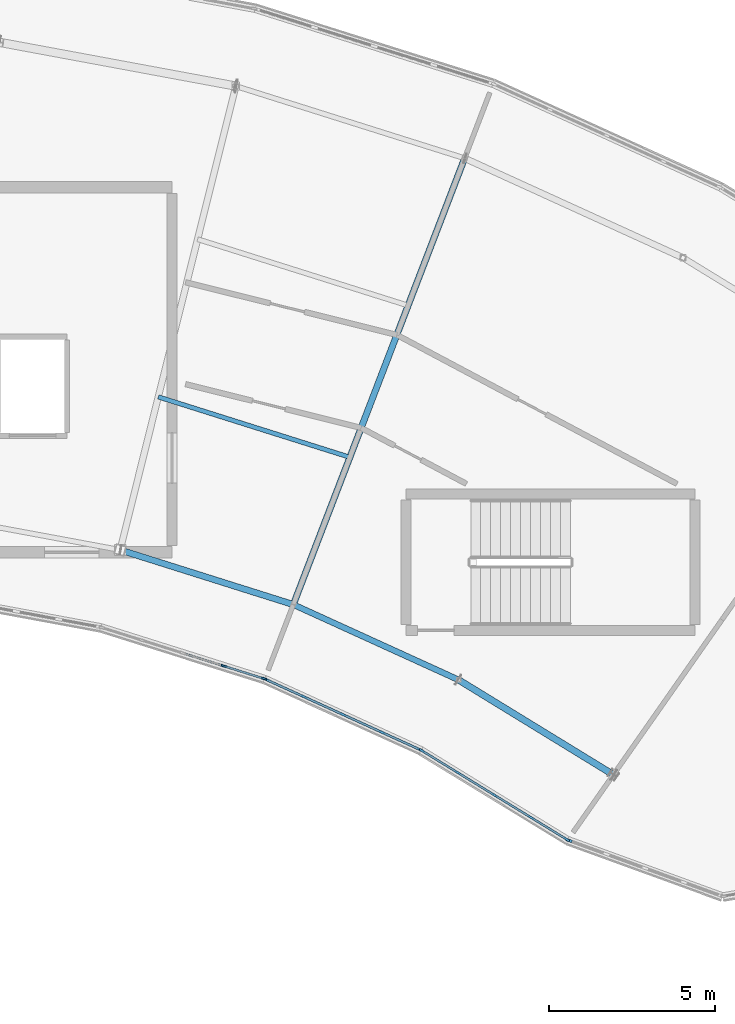
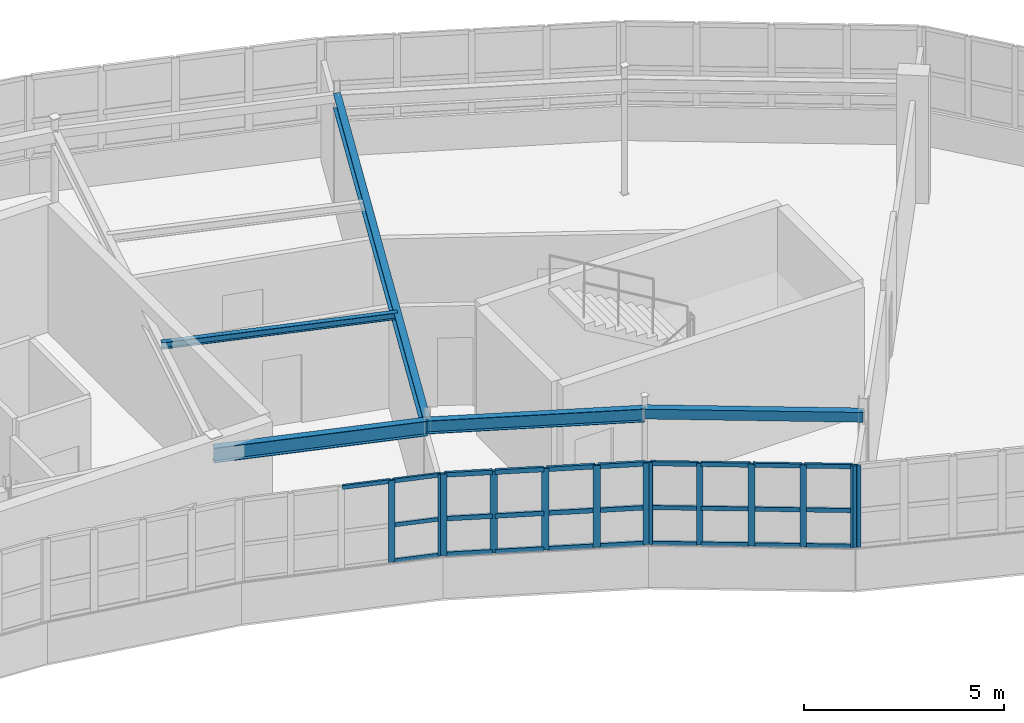
# One storey, part 31 of 60: 41 members, 5 beams, 4 elements without a shape of their own.
"""IFC4 building model written with IfcOpenShell, lengths in metres."""

from ifc_helpers import new_model, si_unit, direction, frame, origin, origin_2d, place, context, subcontext, project, spatial, rectangle, hollow_rectangle, i_section, extrude, material, layer, layer_set, material_profile, profile_set, type_object, element, aggregate, save


model = new_model("IFC4")

# Units and contexts
model_context = context("Model", 3, precision=1e-05, world=origin(), true_north=direction((0.0, 1.0)))
body_context = subcontext(model_context, "Body", "Model", "MODEL_VIEW")
ifc_project = project(units=[si_unit("LENGTHUNIT", "METRE"), si_unit("AREAUNIT", "SQUARE_METRE"), si_unit("VOLUMEUNIT", "CUBIC_METRE"), si_unit("PLANEANGLEUNIT", "RADIAN"), si_unit("MASSUNIT", "GRAM", prefix="KILO")], contexts=[model_context])

# Site, building, storey
site_placement = place(None, origin())
site = spatial("IfcSite", under=ifc_project, at=site_placement, CompositionType="ELEMENT")
building_placement = place(site_placement, origin())
building = spatial("IfcBuilding", under=site, at=building_placement, Name="Tarnwether General Hospital", CompositionType="ELEMENT")
storey_placement = place(building_placement, frame((0.0, 0.0, 26.10009765625)))
storey = spatial("IfcBuildingStorey", under=building, at=storey_placement, Name="L06", CompositionType="ELEMENT", Elevation=26.10009765625)

# Beams
ifc_material_1 = material(Name="Steel Grade 350 (350 MPa)", Category="steel")
ifc_material_profile_1 = material_profile(ifc_material_1, i_section(OverallWidth=0.18994140625, OverallDepth=0.45703125, WebThickness=0.009033203125, FlangeThickness=0.014404296875, at=origin_2d()), Name="460UB74.6")
ifc_profile_set_1 = profile_set([ifc_material_profile_1], Name="Steel Grade 350 (350 MPa)")
beam_type_1 = type_object("IfcBeamType", Name="BM-G09", PredefinedType="BEAM", material=ifc_profile_set_1)
beam_1_placement = place(storey_placement, frame((113.215087890625, 118.26806640625, 3.31640625), z_axis=(-0.358334838026, -0.933593136145, 0.0), x_axis=(0.933593136145, -0.358334838026, 0.0)))
element("IfcBeam", 1, at=beam_1_placement, inside=storey, type_object=beam_type_1, Name="Curved Ward NW Radial Girder BMG-L06-11322_11827-10806_10482-2018", PredefinedType="BEAM", context=body_context, shape_type="SweptSolid", body=[
    extrude(i_section(OverallWidth=0.18994140625, OverallDepth=0.45703125, WebThickness=0.009033203125, FlangeThickness=0.014404296875, at=origin_2d()), origin(), (0.0, 0.0, 1.0), 14.400390625),
])
ifc_material_2 = material(Name="Steel Grade 350 (350 MPa)", Category="steel")
ifc_material_profile_2 = material_profile(ifc_material_2, i_section(OverallWidth=0.134033203125, OverallDepth=0.20703125, WebThickness=0.00634765625, FlangeThickness=0.009521484375, at=origin_2d()), Name="200UB29.8")
ifc_profile_set_2 = profile_set([ifc_material_profile_2], Name="Steel Grade 350 (350 MPa)")
beam_type_2 = type_object("IfcBeamType", Name="BM-J12", PredefinedType="JOIST", material=ifc_profile_set_2)
beam_2_placement = place(storey_placement, frame((103.988037109375, 111.080078125, 3.44140625), z_axis=(0.953725879816, -0.300677478654, 0.0), x_axis=(0.300677478654, 0.953725879816, 0.0)))
element("IfcBeam", 2, at=beam_2_placement, inside=storey, type_object=beam_type_2, Name="Curved Ward NW Chord Joist BMG-L06-10399_11108-10976_10926-2040", PredefinedType="JOIST", context=body_context, shape_type="SweptSolid", body=[
    extrude(i_section(OverallWidth=0.134033203125, OverallDepth=0.20703125, WebThickness=0.00634765625, FlangeThickness=0.009521484375, at=origin_2d()), origin(), (0.0, 0.0, 1.0), 6.050048828125),
])
ifc_material_3 = material(Name="Steel Grade 350 (350 MPa)", Category="steel")
ifc_material_profile_3 = material_profile(ifc_material_3, i_section(OverallWidth=0.18994140625, OverallDepth=0.4541015625, WebThickness=0.008544921875, FlangeThickness=0.0126953125, at=origin_2d()), Name="460UB67.1")
ifc_profile_set_3 = profile_set([ifc_material_profile_3], Name="Steel Grade 350 (350 MPa)")
beam_type_3 = type_object("IfcBeamType", Name="BM-SP1", PredefinedType="SPANDREL", material=ifc_profile_set_3)
beam_3_placement = place(storey_placement, frame((102.837890625, 106.468994140625, 3.31787109375), z_axis=(0.953712084488, -0.300721232874, 0.0), x_axis=(0.300721232874, 0.953712084488, 0.0)))
element("IfcBeam", 3, at=beam_3_placement, inside=storey, type_object=beam_type_3, Name="Curved Ward NW Inner Spandrel BMG-L06-10284_10647-10806_10482-2038", PredefinedType="SPANDREL", context=body_context, shape_type="SweptSolid", body=[
    extrude(i_section(OverallWidth=0.18994140625, OverallDepth=0.4541015625, WebThickness=0.008544921875, FlangeThickness=0.0126953125, at=origin_2d()), origin(), (0.0, 0.0, 1.0), 5.47021484375),
])
ifc_material_4 = material(Name="Steel Grade 350 (350 MPa)", Category="steel")
ifc_material_profile_4 = material_profile(ifc_material_4, i_section(OverallWidth=0.177978515625, OverallDepth=0.403076171875, WebThickness=0.007568359375, FlangeThickness=0.010986328125, at=origin_2d()), Name="410UB53.7")
ifc_profile_set_4 = profile_set([ifc_material_profile_4], Name="Steel Grade 350 (350 MPa)")
beam_type_4 = type_object("IfcBeamType", Name="BM-SP2", PredefinedType="SPANDREL", material=ifc_profile_set_4)
beam_4_placement = place(storey_placement, frame((108.054931640625, 104.823974609375, 3.343505859375), z_axis=(0.909968605358, -0.414677148228, 0.0), x_axis=(0.414677148228, 0.909968605358, 0.0)))
element("IfcBeam", 4, at=beam_4_placement, inside=storey, type_object=beam_type_4, Name="Curved Ward NW Inner Spandrel BMG-L06-10806_10482-11303_10256-2042", PredefinedType="SPANDREL", context=body_context, shape_type="SweptSolid", body=[
    extrude(i_section(OverallWidth=0.177978515625, OverallDepth=0.403076171875, WebThickness=0.007568359375, FlangeThickness=0.010986328125, at=origin_2d()), origin(), (0.0, 0.0, 1.0), 5.469482421875),
])
ifc_material_5 = material(Name="Steel Grade C350L0 (350 MPa)", Category="steel")
ifc_material_profile_5 = material_profile(ifc_material_5, hollow_rectangle(XDim=0.199951171875, YDim=0.300048828125, WallThickness=0.012451171875, at=origin_2d()), Name="RHS300x200x12.5")
ifc_profile_set_5 = profile_set([ifc_material_profile_5], Name="Steel Grade C350L0 (350 MPa)")
beam_type_5 = type_object("IfcBeamType", Name="BM-SP3", PredefinedType="SPANDREL", material=ifc_profile_set_5)
beam_5_placement = place(storey_placement, frame((113.031982421875, 102.555908203125, 3.39501953125), z_axis=(0.85265897909, -0.522467860617, 0.0), x_axis=(0.522467860617, 0.85265897909, 0.0)))
element("IfcBeam", 5, at=beam_5_placement, inside=storey, type_object=beam_type_5, Name="Curved Ward NW Inner Spandrel BMG-L06-11303_10256-11770_9970-2044", PredefinedType="SPANDREL", context=body_context, shape_type="SweptSolid", body=[
    extrude(hollow_rectangle(XDim=0.199951171875, YDim=0.300048828125, WallThickness=0.012451171875, at=origin_2d()), origin(), (0.0, 0.0, 1.0), 5.469970703125),
])

# Curtain wall, members
ifc_material_6 = material(Name="Anodised aluminium", Category="aluminium")
ifc_layer = layer(ifc_material_6, 0.159912109375)
ifc_layer_set = layer_set([ifc_layer], Name="Anodised aluminium")
curtain_wall_type = type_object("IfcCurtainWallType", Name="CW-04", PredefinedType="NOTDEFINED", material=ifc_layer_set)
curtain_wall_1_placement = place(storey_placement, origin())
curtain_wall_1 = element("IfcCurtainWall", 6, at=curtain_wall_1_placement, inside=storey, type_object=curtain_wall_type, Name="Curtain Wall CWG-L06-1072_1026-0109", PredefinedType="NOTDEFINED")
ifc_material_7 = material(Name="Anodised aluminium", Category="aluminium")
ifc_material_profile_6 = material_profile(ifc_material_7, rectangle(XDim=0.06005859375, YDim=0.159912109375, at=origin_2d()), Name="ALU-MUL-60x160")
ifc_profile_set_6 = profile_set([ifc_material_profile_6], Name="Anodised aluminium")
member_type_1 = type_object("IfcMemberType", Name="CW-ML1", PredefinedType="MULLION", material=ifc_profile_set_6)
member_1_placement = place(storey_placement, frame((107.16650390625, 102.593017578125, 1.0498046875), z_axis=(0.0, 0.0, 1.0), x_axis=(-0.30071538783, -0.953713927508, 0.0)))
member_1 = element("IfcMember", 7, at=member_1_placement, type_object=member_type_1, Name="CW-04 mullion 1", PredefinedType="MULLION", context=body_context, shape_type="SweptSolid", body=[
    extrude(rectangle(XDim=0.06005859375, YDim=0.159912109375, at=origin_2d()), origin(), (0.0, 0.0, 1.0), 2.4951171875),
])
member_2_placement = place(storey_placement, frame((105.96044921875, 102.97314453125, 1.0498046875), z_axis=(0.0, 0.0, 1.0), x_axis=(-0.30071538783, -0.953713927508, 0.0)))
member_2 = element("IfcMember", 8, at=member_2_placement, type_object=member_type_1, Name="CW-04 mullion 2", PredefinedType="MULLION", context=body_context, shape_type="SweptSolid", body=[
    extrude(rectangle(XDim=0.06005859375, YDim=0.159912109375, at=origin_2d()), origin(), (0.0, 0.0, 1.0), 2.4951171875),
])

curtain_wall_2_placement = place(storey_placement, origin())
curtain_wall_2 = element("IfcCurtainWall", 9, at=curtain_wall_2_placement, inside=storey, type_object=curtain_wall_type, Name="Curtain Wall CWG-L06-1119_1004-0110", PredefinedType="NOTDEFINED")
ifc_material_8 = material(Name="Anodised aluminium", Category="aluminium")
ifc_material_profile_7 = material_profile(ifc_material_8, rectangle(XDim=0.070068359375, YDim=0.179931640625, at=origin_2d()), Name="ALU-MUL-70x180")
ifc_profile_set_7 = profile_set([ifc_material_profile_7], Name="Anodised aluminium")
member_type_2 = type_object("IfcMemberType", Name="CW-ML2", PredefinedType="MULLION", material=ifc_profile_set_7)
member_3_placement = place(storey_placement, frame((111.874267578125, 100.451416015625, 1.0498046875), z_axis=(0.0, 0.0, 1.0), x_axis=(-0.41470501572, -0.90995590549, 0.0)))
member_3 = element("IfcMember", 10, at=member_3_placement, type_object=member_type_2, Name="CW-04 mullion 1", PredefinedType="MULLION", context=body_context, shape_type="SweptSolid", body=[
    extrude(rectangle(XDim=0.070068359375, YDim=0.179931640625, at=origin_2d()), origin(), (0.0, 0.0, 1.0), 2.4951171875),
])
member_4_placement = place(storey_placement, frame((110.728271484375, 100.9736328125, 1.0498046875), z_axis=(0.0, 0.0, 1.0), x_axis=(-0.41470501572, -0.90995590549, 0.0)))
member_4 = element("IfcMember", 11, at=member_4_placement, type_object=member_type_2, Name="CW-04 mullion 2", PredefinedType="MULLION", context=body_context, shape_type="SweptSolid", body=[
    extrude(rectangle(XDim=0.070068359375, YDim=0.179931640625, at=origin_2d()), origin(), (0.0, 0.0, 1.0), 2.4951171875),
])
member_5_placement = place(storey_placement, frame((109.550537109375, 101.510498046875, 1.0498046875), z_axis=(0.0, 0.0, 1.0), x_axis=(-0.41470501572, -0.90995590549, 0.0)))
member_5 = element("IfcMember", 12, at=member_5_placement, type_object=member_type_2, Name="CW-04 mullion 3", PredefinedType="MULLION", context=body_context, shape_type="SweptSolid", body=[
    extrude(rectangle(XDim=0.070068359375, YDim=0.179931640625, at=origin_2d()), origin(), (0.0, 0.0, 1.0), 2.4951171875),
])
member_6_placement = place(storey_placement, frame((108.372802734375, 102.04736328125, 1.0498046875), z_axis=(0.0, 0.0, 1.0), x_axis=(-0.41470501572, -0.90995590549, 0.0)))
member_6 = element("IfcMember", 13, at=member_6_placement, type_object=member_type_2, Name="CW-04 mullion 4", PredefinedType="MULLION", context=body_context, shape_type="SweptSolid", body=[
    extrude(rectangle(XDim=0.070068359375, YDim=0.179931640625, at=origin_2d()), origin(), (0.0, 0.0, 1.0), 2.4951171875),
])
member_7_placement = place(storey_placement, frame((107.226806640625, 102.569580078125, 1.0498046875), z_axis=(0.0, 0.0, 1.0), x_axis=(-0.41470501572, -0.90995590549, 0.0)))
member_7 = element("IfcMember", 14, at=member_7_placement, type_object=member_type_2, Name="CW-04 mullion 5", PredefinedType="MULLION", context=body_context, shape_type="SweptSolid", body=[
    extrude(rectangle(XDim=0.070068359375, YDim=0.179931640625, at=origin_2d()), origin(), (0.0, 0.0, 1.0), 2.4951171875),
])

curtain_wall_3_placement = place(storey_placement, origin())
curtain_wall_3 = element("IfcCurtainWall", 15, at=curtain_wall_3_placement, inside=storey, type_object=curtain_wall_type, Name="Curtain Wall CWG-L06-1163_977-0111", PredefinedType="NOTDEFINED")
ifc_material_9 = material(Name="Anodised aluminium", Category="aluminium")
ifc_material_profile_8 = material_profile(ifc_material_9, rectangle(XDim=0.06494140625, YDim=0.169921875, at=origin_2d()), Name="ALU-MUL-65x170")
ifc_profile_set_8 = profile_set([ifc_material_profile_8], Name="Anodised aluminium")
member_type_3 = type_object("IfcMemberType", Name="CW-ML3", PredefinedType="MULLION", material=ifc_profile_set_8)
member_8_placement = place(storey_placement, frame((116.292236328125, 97.7490234375, 1.0498046875), z_axis=(0.0, 0.0, 1.0), x_axis=(-0.522512231483, -0.852631789198, 0.0)))
member_8 = element("IfcMember", 16, at=member_8_placement, type_object=member_type_3, Name="CW-04 mullion 1", PredefinedType="MULLION", context=body_context, shape_type="SweptSolid", body=[
    extrude(rectangle(XDim=0.06494140625, YDim=0.169921875, at=origin_2d()), origin(), (0.0, 0.0, 1.0), 2.4951171875),
])
member_9_placement = place(storey_placement, frame((115.216552734375, 98.408203125, 1.0498046875), z_axis=(0.0, 0.0, 1.0), x_axis=(-0.522512231483, -0.852631789198, 0.0)))
member_9 = element("IfcMember", 17, at=member_9_placement, type_object=member_type_3, Name="CW-04 mullion 2", PredefinedType="MULLION", context=body_context, shape_type="SweptSolid", body=[
    extrude(rectangle(XDim=0.06494140625, YDim=0.169921875, at=origin_2d()), origin(), (0.0, 0.0, 1.0), 2.4951171875),
])
member_10_placement = place(storey_placement, frame((114.113037109375, 99.08447265625, 1.0498046875), z_axis=(0.0, 0.0, 1.0), x_axis=(-0.522512231483, -0.852631789198, 0.0)))
member_10 = element("IfcMember", 18, at=member_10_placement, type_object=member_type_3, Name="CW-04 mullion 3", PredefinedType="MULLION", context=body_context, shape_type="SweptSolid", body=[
    extrude(rectangle(XDim=0.06494140625, YDim=0.169921875, at=origin_2d()), origin(), (0.0, 0.0, 1.0), 2.4951171875),
])
member_11_placement = place(storey_placement, frame((113.009521484375, 99.7607421875, 1.0498046875), z_axis=(0.0, 0.0, 1.0), x_axis=(-0.522512231483, -0.852631789198, 0.0)))
member_11 = element("IfcMember", 19, at=member_11_placement, type_object=member_type_3, Name="CW-04 mullion 4", PredefinedType="MULLION", context=body_context, shape_type="SweptSolid", body=[
    extrude(rectangle(XDim=0.06494140625, YDim=0.169921875, at=origin_2d()), origin(), (0.0, 0.0, 1.0), 2.4951171875),
])
member_12_placement = place(storey_placement, frame((111.93359375, 100.419921875, 1.0498046875), z_axis=(0.0, 0.0, 1.0), x_axis=(-0.522512231483, -0.852631789198, 0.0)))
member_12 = element("IfcMember", 20, at=member_12_placement, type_object=member_type_3, Name="CW-04 mullion 5", PredefinedType="MULLION", context=body_context, shape_type="SweptSolid", body=[
    extrude(rectangle(XDim=0.06494140625, YDim=0.169921875, at=origin_2d()), origin(), (0.0, 0.0, 1.0), 2.4951171875),
])

# Curtain wall, member
curtain_wall_4_placement = place(storey_placement, origin())
curtain_wall_4 = element("IfcCurtainWall", 21, at=curtain_wall_4_placement, inside=storey, type_object=curtain_wall_type, Name="Curtain Wall CWG-L06-1210_960-0112", PredefinedType="NOTDEFINED")
ifc_material_10 = material(Name="Anodised aluminium", Category="aluminium")
ifc_material_profile_9 = material_profile(ifc_material_10, rectangle(XDim=0.080078125, YDim=0.199951171875, at=origin_2d()), Name="ALU-MUL-80x200")
ifc_profile_set_9 = profile_set([ifc_material_profile_9], Name="Anodised aluminium")
member_type_4 = type_object("IfcMemberType", Name="CW-ML4", PredefinedType="MULLION", material=ifc_profile_set_9)
member_13_placement = place(storey_placement, frame((116.357666015625, 97.71826171875, 1.0498046875), z_axis=(0.0, 0.0, 1.0), x_axis=(-0.342130850834, -0.939652319163, 0.0)))
member_13 = element("IfcMember", 22, at=member_13_placement, type_object=member_type_4, Name="CW-04 mullion 5", PredefinedType="MULLION", context=body_context, shape_type="SweptSolid", body=[
    extrude(rectangle(XDim=0.080078125, YDim=0.199951171875, at=origin_2d()), origin(), (0.0, 0.0, 1.0), 2.4951171875),
])
aggregate(curtain_wall_4, [member_13])

# Member
ifc_material_11 = material(Name="Anodised aluminium", Category="aluminium")
ifc_material_profile_10 = material_profile(ifc_material_11, rectangle(XDim=0.06005859375, YDim=0.1201171875, at=origin_2d()), Name="ALU-TRN-60x120")
ifc_profile_set_10 = profile_set([ifc_material_profile_10], Name="Anodised aluminium")
member_type_5 = type_object("IfcMemberType", Name="CW-TR1", PredefinedType="USERDEFINED", material=ifc_profile_set_10)
member_14_placement = place(storey_placement, frame((107.1376953125, 102.60205078125, 1.079833984375), z_axis=(-0.953744897791, 0.300617148443, 0.0), x_axis=(-0.300617148443, -0.953744897791, 0.0)))
member_14 = element("IfcMember", 23, at=member_14_placement, type_object=member_type_5, Name="CW-04 transom 1.1", ObjectType="TRANSOM", PredefinedType="USERDEFINED", context=body_context, shape_type="SweptSolid", body=[
    extrude(rectangle(XDim=0.06005859375, YDim=0.1201171875, at=origin_2d()), origin(), (0.0, 0.0, 1.0), 1.204345703125),
])

member_15_placement = place(storey_placement, frame((107.1376953125, 102.60205078125, 2.172607421875), z_axis=(-0.953744897791, 0.300617148443, 0.0), x_axis=(-0.300617148443, -0.953744897791, 0.0)))
member_15 = element("IfcMember", 24, at=member_15_placement, type_object=member_type_5, Name="CW-04 transom 1.2", ObjectType="TRANSOM", PredefinedType="USERDEFINED", context=body_context, shape_type="SweptSolid", body=[
    extrude(rectangle(XDim=0.06005859375, YDim=0.1201171875, at=origin_2d()), origin(), (0.0, 0.0, 1.0), 1.204345703125),
])

member_16_placement = place(storey_placement, frame((107.1376953125, 102.60205078125, 3.514892578125), z_axis=(-0.953744897791, 0.300617148443, 0.0), x_axis=(-0.300617148443, -0.953744897791, 0.0)))
member_16 = element("IfcMember", 25, at=member_16_placement, type_object=member_type_5, Name="CW-04 transom 1.3", ObjectType="TRANSOM", PredefinedType="USERDEFINED", context=body_context, shape_type="SweptSolid", body=[
    extrude(rectangle(XDim=0.06005859375, YDim=0.1201171875, at=origin_2d()), origin(), (0.0, 0.0, 1.0), 1.204345703125),
])

member_17_placement = place(storey_placement, frame((105.931884765625, 102.982177734375, 3.514892578125), z_axis=(-0.953681253444, 0.300818993465, 0.0), x_axis=(-0.300818993465, -0.953681253444, 0.0)))
member_17 = element("IfcMember", 26, at=member_17_placement, type_object=member_type_5, Name="CW-04 transom 2.3", ObjectType="TRANSOM", PredefinedType="USERDEFINED", context=body_context, shape_type="SweptSolid", body=[
    extrude(rectangle(XDim=0.06005859375, YDim=0.1201171875, at=origin_2d()), origin(), (0.0, 0.0, 1.0), 1.234375),
])

aggregate(curtain_wall_1, [member_1, member_2, member_14, member_15, member_16, member_17])

ifc_material_12 = material(Name="Anodised aluminium", Category="aluminium")
ifc_material_profile_11 = material_profile(ifc_material_12, rectangle(XDim=0.070068359375, YDim=0.139892578125, at=origin_2d()), Name="ALU-TRN-70x140")
ifc_profile_set_11 = profile_set([ifc_material_profile_11], Name="Anodised aluminium")
member_type_6 = type_object("IfcMemberType", Name="CW-TR2", PredefinedType="USERDEFINED", material=ifc_profile_set_11)
member_18_placement = place(storey_placement, frame((111.84228515625, 100.466064453125, 1.0849609375), z_axis=(-0.909979433919, 0.414653385183, 0.0), x_axis=(-0.414653385183, -0.909979433919, 0.0)))
member_18 = element("IfcMember", 27, at=member_18_placement, type_object=member_type_6, Name="CW-04 transom 1.1", ObjectType="TRANSOM", PredefinedType="USERDEFINED", context=body_context, shape_type="SweptSolid", body=[
    extrude(rectangle(XDim=0.070068359375, YDim=0.139892578125, at=origin_2d()), origin(), (0.0, 0.0, 1.0), 1.189453125),
])

member_19_placement = place(storey_placement, frame((111.84228515625, 100.466064453125, 2.172607421875), z_axis=(-0.909979433919, 0.414653385183, 0.0), x_axis=(-0.414653385183, -0.909979433919, 0.0)))
member_19 = element("IfcMember", 28, at=member_19_placement, type_object=member_type_6, Name="CW-04 transom 1.2", ObjectType="TRANSOM", PredefinedType="USERDEFINED", context=body_context, shape_type="SweptSolid", body=[
    extrude(rectangle(XDim=0.070068359375, YDim=0.139892578125, at=origin_2d()), origin(), (0.0, 0.0, 1.0), 1.189453125),
])

member_20_placement = place(storey_placement, frame((111.84228515625, 100.466064453125, 3.510009765625), z_axis=(-0.909979433919, 0.414653385183, 0.0), x_axis=(-0.414653385183, -0.909979433919, 0.0)))
member_20 = element("IfcMember", 29, at=member_20_placement, type_object=member_type_6, Name="CW-04 transom 1.3", ObjectType="TRANSOM", PredefinedType="USERDEFINED", context=body_context, shape_type="SweptSolid", body=[
    extrude(rectangle(XDim=0.070068359375, YDim=0.139892578125, at=origin_2d()), origin(), (0.0, 0.0, 1.0), 1.189453125),
])

member_21_placement = place(storey_placement, frame((110.6962890625, 100.98828125, 1.0849609375), z_axis=(-0.909922054597, 0.414779284147, 0.0), x_axis=(-0.414779284147, -0.909922054597, 0.0)))
member_21 = element("IfcMember", 30, at=member_21_placement, type_object=member_type_6, Name="CW-04 transom 2.1", ObjectType="TRANSOM", PredefinedType="USERDEFINED", context=body_context, shape_type="SweptSolid", body=[
    extrude(rectangle(XDim=0.070068359375, YDim=0.139892578125, at=origin_2d()), origin(), (0.0, 0.0, 1.0), 1.224365234375),
])

member_22_placement = place(storey_placement, frame((110.6962890625, 100.98828125, 2.172607421875), z_axis=(-0.909922054597, 0.414779284147, 0.0), x_axis=(-0.414779284147, -0.909922054597, 0.0)))
member_22 = element("IfcMember", 31, at=member_22_placement, type_object=member_type_6, Name="CW-04 transom 2.2", ObjectType="TRANSOM", PredefinedType="USERDEFINED", context=body_context, shape_type="SweptSolid", body=[
    extrude(rectangle(XDim=0.070068359375, YDim=0.139892578125, at=origin_2d()), origin(), (0.0, 0.0, 1.0), 1.224365234375),
])

member_23_placement = place(storey_placement, frame((110.6962890625, 100.98828125, 3.510009765625), z_axis=(-0.909922054597, 0.414779284147, 0.0), x_axis=(-0.414779284147, -0.909922054597, 0.0)))
member_23 = element("IfcMember", 32, at=member_23_placement, type_object=member_type_6, Name="CW-04 transom 2.3", ObjectType="TRANSOM", PredefinedType="USERDEFINED", context=body_context, shape_type="SweptSolid", body=[
    extrude(rectangle(XDim=0.070068359375, YDim=0.139892578125, at=origin_2d()), origin(), (0.0, 0.0, 1.0), 1.224365234375),
])

member_24_placement = place(storey_placement, frame((109.5185546875, 101.52490234375, 1.0849609375), z_axis=(-0.909922054597, 0.414779284147, 0.0), x_axis=(-0.414779284147, -0.909922054597, 0.0)))
member_24 = element("IfcMember", 33, at=member_24_placement, type_object=member_type_6, Name="CW-04 transom 3.1", ObjectType="TRANSOM", PredefinedType="USERDEFINED", context=body_context, shape_type="SweptSolid", body=[
    extrude(rectangle(XDim=0.070068359375, YDim=0.139892578125, at=origin_2d()), origin(), (0.0, 0.0, 1.0), 1.224365234375),
])

member_25_placement = place(storey_placement, frame((109.5185546875, 101.52490234375, 2.172607421875), z_axis=(-0.909922054597, 0.414779284147, 0.0), x_axis=(-0.414779284147, -0.909922054597, 0.0)))
member_25 = element("IfcMember", 34, at=member_25_placement, type_object=member_type_6, Name="CW-04 transom 3.2", ObjectType="TRANSOM", PredefinedType="USERDEFINED", context=body_context, shape_type="SweptSolid", body=[
    extrude(rectangle(XDim=0.070068359375, YDim=0.139892578125, at=origin_2d()), origin(), (0.0, 0.0, 1.0), 1.224365234375),
])

member_26_placement = place(storey_placement, frame((109.5185546875, 101.52490234375, 3.510009765625), z_axis=(-0.909922054597, 0.414779284147, 0.0), x_axis=(-0.414779284147, -0.909922054597, 0.0)))
member_26 = element("IfcMember", 35, at=member_26_placement, type_object=member_type_6, Name="CW-04 transom 3.3", ObjectType="TRANSOM", PredefinedType="USERDEFINED", context=body_context, shape_type="SweptSolid", body=[
    extrude(rectangle(XDim=0.070068359375, YDim=0.139892578125, at=origin_2d()), origin(), (0.0, 0.0, 1.0), 1.224365234375),
])

member_27_placement = place(storey_placement, frame((108.3408203125, 102.061767578125, 1.0849609375), z_axis=(-0.909944129752, 0.414730853362, 0.0), x_axis=(-0.414730853362, -0.909944129752, 0.0)))
member_27 = element("IfcMember", 36, at=member_27_placement, type_object=member_type_6, Name="CW-04 transom 4.1", ObjectType="TRANSOM", PredefinedType="USERDEFINED", context=body_context, shape_type="SweptSolid", body=[
    extrude(rectangle(XDim=0.070068359375, YDim=0.139892578125, at=origin_2d()), origin(), (0.0, 0.0, 1.0), 1.189208984375),
])

member_28_placement = place(storey_placement, frame((108.3408203125, 102.061767578125, 2.172607421875), z_axis=(-0.909944129752, 0.414730853362, 0.0), x_axis=(-0.414730853362, -0.909944129752, 0.0)))
member_28 = element("IfcMember", 37, at=member_28_placement, type_object=member_type_6, Name="CW-04 transom 4.2", ObjectType="TRANSOM", PredefinedType="USERDEFINED", context=body_context, shape_type="SweptSolid", body=[
    extrude(rectangle(XDim=0.070068359375, YDim=0.139892578125, at=origin_2d()), origin(), (0.0, 0.0, 1.0), 1.189208984375),
])

member_29_placement = place(storey_placement, frame((108.3408203125, 102.061767578125, 3.510009765625), z_axis=(-0.909944129752, 0.414730853362, 0.0), x_axis=(-0.414730853362, -0.909944129752, 0.0)))
member_29 = element("IfcMember", 38, at=member_29_placement, type_object=member_type_6, Name="CW-04 transom 4.3", ObjectType="TRANSOM", PredefinedType="USERDEFINED", context=body_context, shape_type="SweptSolid", body=[
    extrude(rectangle(XDim=0.070068359375, YDim=0.139892578125, at=origin_2d()), origin(), (0.0, 0.0, 1.0), 1.189208984375),
])

aggregate(curtain_wall_2, [member_3, member_4, member_5, member_6, member_7, member_18, member_19, member_20, member_21, member_22, member_23, member_24, member_25, member_26, member_27, member_28, member_29])

ifc_material_13 = material(Name="Anodised aluminium", Category="aluminium")
ifc_material_profile_12 = material_profile(ifc_material_13, rectangle(XDim=0.06494140625, YDim=0.1298828125, at=origin_2d()), Name="ALU-TRN-65x130")
ifc_profile_set_12 = profile_set([ifc_material_profile_12], Name="Anodised aluminium")
member_type_7 = type_object("IfcMemberType", Name="CW-TR3", PredefinedType="USERDEFINED", material=ifc_profile_set_12)
member_30_placement = place(storey_placement, frame((116.2646484375, 97.765869140625, 1.08251953125), z_axis=(-0.852595389372, 0.522571623821, 0.0), x_axis=(-0.522571623821, -0.852595389372, 0.0)))
member_30 = element("IfcMember", 39, at=member_30_placement, type_object=member_type_7, Name="CW-04 transom 1.1", ObjectType="TRANSOM", PredefinedType="USERDEFINED", context=body_context, shape_type="SweptSolid", body=[
    extrude(rectangle(XDim=0.06494140625, YDim=0.1298828125, at=origin_2d()), origin(), (0.0, 0.0, 1.0), 1.197021484375),
])

member_31_placement = place(storey_placement, frame((116.2646484375, 97.765869140625, 2.172607421875), z_axis=(-0.852595389372, 0.522571623821, 0.0), x_axis=(-0.522571623821, -0.852595389372, 0.0)))
member_31 = element("IfcMember", 40, at=member_31_placement, type_object=member_type_7, Name="CW-04 transom 1.2", ObjectType="TRANSOM", PredefinedType="USERDEFINED", context=body_context, shape_type="SweptSolid", body=[
    extrude(rectangle(XDim=0.06494140625, YDim=0.1298828125, at=origin_2d()), origin(), (0.0, 0.0, 1.0), 1.197021484375),
])

member_32_placement = place(storey_placement, frame((116.2646484375, 97.765869140625, 3.512451171875), z_axis=(-0.852595389372, 0.522571623821, 0.0), x_axis=(-0.522571623821, -0.852595389372, 0.0)))
member_32 = element("IfcMember", 41, at=member_32_placement, type_object=member_type_7, Name="CW-04 transom 1.3", ObjectType="TRANSOM", PredefinedType="USERDEFINED", context=body_context, shape_type="SweptSolid", body=[
    extrude(rectangle(XDim=0.06494140625, YDim=0.1298828125, at=origin_2d()), origin(), (0.0, 0.0, 1.0), 1.197021484375),
])

member_33_placement = place(storey_placement, frame((115.188720703125, 98.42529296875, 1.08251953125), z_axis=(-0.852618378397, 0.522534114503, 0.0), x_axis=(-0.522534114503, -0.852618378397, 0.0)))
member_33 = element("IfcMember", 42, at=member_33_placement, type_object=member_type_7, Name="CW-04 transom 2.1", ObjectType="TRANSOM", PredefinedType="USERDEFINED", context=body_context, shape_type="SweptSolid", body=[
    extrude(rectangle(XDim=0.06494140625, YDim=0.1298828125, at=origin_2d()), origin(), (0.0, 0.0, 1.0), 1.229248046875),
])

member_34_placement = place(storey_placement, frame((115.188720703125, 98.42529296875, 2.172607421875), z_axis=(-0.852618378397, 0.522534114503, 0.0), x_axis=(-0.522534114503, -0.852618378397, 0.0)))
member_34 = element("IfcMember", 43, at=member_34_placement, type_object=member_type_7, Name="CW-04 transom 2.2", ObjectType="TRANSOM", PredefinedType="USERDEFINED", context=body_context, shape_type="SweptSolid", body=[
    extrude(rectangle(XDim=0.06494140625, YDim=0.1298828125, at=origin_2d()), origin(), (0.0, 0.0, 1.0), 1.229248046875),
])

member_35_placement = place(storey_placement, frame((115.188720703125, 98.42529296875, 3.512451171875), z_axis=(-0.852618378397, 0.522534114503, 0.0), x_axis=(-0.522534114503, -0.852618378397, 0.0)))
member_35 = element("IfcMember", 44, at=member_35_placement, type_object=member_type_7, Name="CW-04 transom 2.3", ObjectType="TRANSOM", PredefinedType="USERDEFINED", context=body_context, shape_type="SweptSolid", body=[
    extrude(rectangle(XDim=0.06494140625, YDim=0.1298828125, at=origin_2d()), origin(), (0.0, 0.0, 1.0), 1.229248046875),
])

member_36_placement = place(storey_placement, frame((114.085205078125, 99.1015625, 1.08251953125), z_axis=(-0.852706859025, 0.522389713309, 0.0), x_axis=(-0.522389713309, -0.852706859025, 0.0)))
member_36 = element("IfcMember", 45, at=member_36_placement, type_object=member_type_7, Name="CW-04 transom 3.1", ObjectType="TRANSOM", PredefinedType="USERDEFINED", context=body_context, shape_type="SweptSolid", body=[
    extrude(rectangle(XDim=0.06494140625, YDim=0.1298828125, at=origin_2d()), origin(), (0.0, 0.0, 1.0), 1.229248046875),
])

member_37_placement = place(storey_placement, frame((114.085205078125, 99.1015625, 2.172607421875), z_axis=(-0.852706859025, 0.522389713309, 0.0), x_axis=(-0.522389713309, -0.852706859025, 0.0)))
member_37 = element("IfcMember", 46, at=member_37_placement, type_object=member_type_7, Name="CW-04 transom 3.2", ObjectType="TRANSOM", PredefinedType="USERDEFINED", context=body_context, shape_type="SweptSolid", body=[
    extrude(rectangle(XDim=0.06494140625, YDim=0.1298828125, at=origin_2d()), origin(), (0.0, 0.0, 1.0), 1.229248046875),
])

member_38_placement = place(storey_placement, frame((114.085205078125, 99.1015625, 3.512451171875), z_axis=(-0.852706859025, 0.522389713309, 0.0), x_axis=(-0.522389713309, -0.852706859025, 0.0)))
member_38 = element("IfcMember", 47, at=member_38_placement, type_object=member_type_7, Name="CW-04 transom 3.3", ObjectType="TRANSOM", PredefinedType="USERDEFINED", context=body_context, shape_type="SweptSolid", body=[
    extrude(rectangle(XDim=0.06494140625, YDim=0.1298828125, at=origin_2d()), origin(), (0.0, 0.0, 1.0), 1.229248046875),
])

member_39_placement = place(storey_placement, frame((112.981689453125, 99.77783203125, 1.08251953125), z_axis=(-0.852630574222, 0.522514214066, 0.0), x_axis=(-0.522514214066, -0.852630574222, 0.0)))
member_39 = element("IfcMember", 48, at=member_39_placement, type_object=member_type_7, Name="CW-04 transom 4.1", ObjectType="TRANSOM", PredefinedType="USERDEFINED", context=body_context, shape_type="SweptSolid", body=[
    extrude(rectangle(XDim=0.06494140625, YDim=0.1298828125, at=origin_2d()), origin(), (0.0, 0.0, 1.0), 1.196533203125),
])

member_40_placement = place(storey_placement, frame((112.981689453125, 99.77783203125, 2.172607421875), z_axis=(-0.852630574222, 0.522514214066, 0.0), x_axis=(-0.522514214066, -0.852630574222, 0.0)))
member_40 = element("IfcMember", 49, at=member_40_placement, type_object=member_type_7, Name="CW-04 transom 4.2", ObjectType="TRANSOM", PredefinedType="USERDEFINED", context=body_context, shape_type="SweptSolid", body=[
    extrude(rectangle(XDim=0.06494140625, YDim=0.1298828125, at=origin_2d()), origin(), (0.0, 0.0, 1.0), 1.196533203125),
])

member_41_placement = place(storey_placement, frame((112.981689453125, 99.77783203125, 3.512451171875), z_axis=(-0.852630574222, 0.522514214066, 0.0), x_axis=(-0.522514214066, -0.852630574222, 0.0)))
member_41 = element("IfcMember", 50, at=member_41_placement, type_object=member_type_7, Name="CW-04 transom 4.3", ObjectType="TRANSOM", PredefinedType="USERDEFINED", context=body_context, shape_type="SweptSolid", body=[
    extrude(rectangle(XDim=0.06494140625, YDim=0.1298828125, at=origin_2d()), origin(), (0.0, 0.0, 1.0), 1.196533203125),
])

aggregate(curtain_wall_3, [member_8, member_9, member_10, member_11, member_12, member_30, member_31, member_32, member_33, member_34, member_35, member_36, member_37, member_38, member_39, member_40, member_41])

save(model, "model.ifc")
